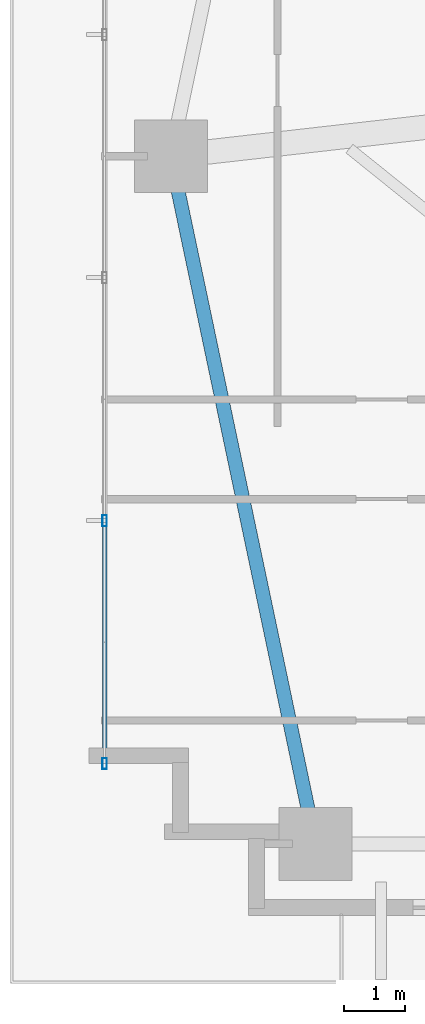
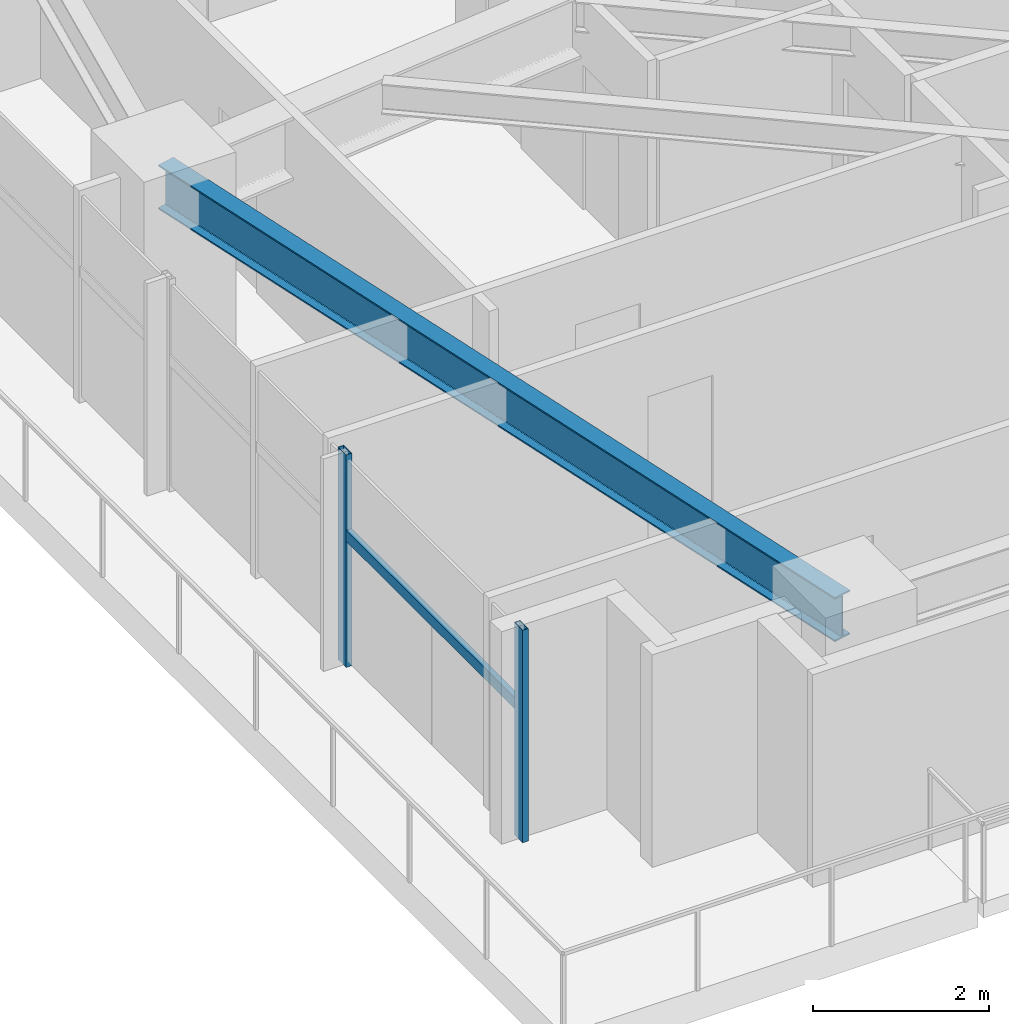
# One storey, part 2 of 26: 3 members, 1 beam, 1 element without a shape of its own.
"""IFC4 building model written with IfcOpenShell, lengths in metres."""

from ifc_helpers import new_model, si_unit, direction, frame, origin, origin_2d, place, context, subcontext, project, spatial, hollow_rectangle, i_section, extrude, source, transform, mapped, material, material_profile, profile_set, type_object, type_shapes, element, aggregate, save


model = new_model("IFC4")

# Units and contexts
model_context = context("Model", 3, precision=1e-05, world=origin(), true_north=direction((0.0, 1.0)))
body_context = subcontext(model_context, "Body", "Model", "MODEL_VIEW")
ifc_project = project(units=[si_unit("LENGTHUNIT", "METRE"), si_unit("AREAUNIT", "SQUARE_METRE"), si_unit("VOLUMEUNIT", "CUBIC_METRE"), si_unit("PLANEANGLEUNIT", "RADIAN"), si_unit("MASSUNIT", "GRAM", prefix="KILO")], contexts=[model_context])

# Site, building, storey
site_placement = place(None, origin())
site = spatial("IfcSite", under=ifc_project, at=site_placement, CompositionType="ELEMENT")
building_placement = place(site_placement, origin())
building = spatial("IfcBuilding", under=site, at=building_placement, Name="Astriad Promenade Condominiums", CompositionType="ELEMENT")
storey_placement = place(building_placement, frame((0.0, 0.0, 23.0)))
storey = spatial("IfcBuildingStorey", under=building, at=storey_placement, Name="L05", CompositionType="ELEMENT", Elevation=23.0)

# Beam
ifc_material_1 = material(Name="Steel ASTM A992 Grade 50", Category="steel")
ifc_material_profile_1 = material_profile(ifc_material_1, i_section(OverallWidth=0.22900390625, OverallDepth=0.612060546875, WebThickness=0.011962890625, FlangeThickness=0.01953125, FilletRadius=0.017822265625, at=origin_2d()), Name="W24X84")
ifc_profile_set_1 = profile_set([ifc_material_profile_1], Name="Steel ASTM A992 Grade 50")
beam_type = type_object("IfcBeamType", Name="STEEL SPANDREL BEAM W24X84", PredefinedType="SPANDREL", material=ifc_profile_set_1)
shared_shape_1 = source(origin(), body_context, "Body", "SweptSolid", [
    extrude(i_section(OverallWidth=0.22900390625, OverallDepth=0.612060546875, WebThickness=0.011962890625, FlangeThickness=0.01953125, FilletRadius=0.017822265625, at=origin_2d()), origin(), (0.0, 0.0, 1.0), 11.487548828125),
])
type_shapes(beam_type, [shared_shape_1])
beam_placement = place(storey_placement, frame((7.0283203125, 15.160888671875, 2.634033203125), z_axis=(0.205748055501, -0.978604995725, 0.0), x_axis=(0.978604995725, 0.205748055501, 0.0)))
element("IfcBeam", 1, at=beam_placement, inside=storey, type_object=beam_type, Name="Perimeter Spandrel Beam SP-W1-L05", PredefinedType="SPANDREL", context=body_context, shape_type="MappedRepresentation", body=[
    mapped(shared_shape_1, transform((0.0, 0.0, 0.0), scale=1.0)),
])

# Curtain wall, members
ifc_material_2 = material(Name="Anodised aluminium Black Dark Glass Unitised", Category="aluminium")
curtain_wall_type = type_object("IfcCurtainWallType", Name="CW-B1-DARK", PredefinedType="USERDEFINED", material=ifc_material_2)
curtain_wall_placement = place(storey_placement, origin())
curtain_wall = element("IfcCurtainWall", 2, at=curtain_wall_placement, inside=storey, type_object=curtain_wall_type, Name="CW-L05-W", ObjectType="UNITISED_CURTAIN_WALL", PredefinedType="USERDEFINED")
ifc_material_3 = material(Name="Anodised aluminium 6063-T6 Black", Category="aluminium")
ifc_material_profile_2 = material_profile(ifc_material_3, hollow_rectangle(XDim=0.074951171875, YDim=0.18505859375, WallThickness=0.00439453125, at=origin_2d()), Name="ALU-MUL-75X185")
ifc_profile_set_2 = profile_set([ifc_material_profile_2], Name="Anodised aluminium 6063-T6 Black")
member_type_1 = type_object("IfcMemberType", Name="MUL-ALU-MUL-75X185", PredefinedType="MULLION", material=ifc_profile_set_2)
shared_shape_2 = source(origin(), body_context, "Body", "SweptSolid", [
    extrude(hollow_rectangle(XDim=0.074951171875, YDim=0.18505859375, WallThickness=0.00439453125, at=origin_2d()), origin(), (0.0, 0.0, 1.0), 2.93994140625),
])
type_shapes(member_type_1, [shared_shape_2])
member_1_placement = place(storey_placement, frame((5.929931640625, 5.199951171875, 0.0), z_axis=(0.0, 0.0, 1.0), x_axis=(1.0, 0.0, 0.0)))
member_1 = element("IfcMember", 3, at=member_1_placement, type_object=member_type_1, Name="CW-L05-W-MUL-00", PredefinedType="MULLION", context=body_context, shape_type="MappedRepresentation", body=[
    mapped(shared_shape_2, transform((0.0, 0.0, 0.0), scale=1.0)),
])
member_2_placement = place(storey_placement, frame((5.929931640625, 9.199951171875, 0.0), z_axis=(0.0, 0.0, 1.0), x_axis=(1.0, 0.0, 0.0)))
member_2 = element("IfcMember", 4, at=member_2_placement, type_object=member_type_1, Name="CW-L05-W-MUL-01", PredefinedType="MULLION", context=body_context, shape_type="MappedRepresentation", body=[
    mapped(shared_shape_2, transform((0.0, 0.0, 0.0), scale=1.0)),
])
ifc_material_profile_3 = material_profile(ifc_material_3, hollow_rectangle(XDim=0.074951171875, YDim=0.14990234375, WallThickness=0.004150390625, at=origin_2d()), Name="ALU-TRN-75X150")
ifc_profile_set_3 = profile_set([ifc_material_profile_3], Name="Anodised aluminium 6063-T6 Black")
member_type_2 = type_object("IfcMemberType", Name="TRN-ALU-TRN-75X150", PredefinedType="USERDEFINED", material=ifc_profile_set_3)
shared_shape_3 = source(origin(), body_context, "Body", "SweptSolid", [
    extrude(hollow_rectangle(XDim=0.074951171875, YDim=0.14990234375, WallThickness=0.004150390625, at=origin_2d()), origin(), (0.0, 0.0, 1.0), 4.0),
])
type_shapes(member_type_2, [shared_shape_3])
member_3_placement = place(storey_placement, frame((5.929931640625, 5.199951171875, 1.82275390625), z_axis=(0.0, 1.0, 0.0), x_axis=(-1.0, 0.0, 0.0)))
member_3 = element("IfcMember", 5, at=member_3_placement, type_object=member_type_2, Name="CW-L05-W-TRN-00-0", ObjectType="TRANSOM", PredefinedType="USERDEFINED", context=body_context, shape_type="MappedRepresentation", body=[
    mapped(shared_shape_3, transform((0.0, 0.0, 0.0), scale=1.0)),
])
aggregate(curtain_wall, [member_1, member_2, member_3])

save(model, "model.ifc")
